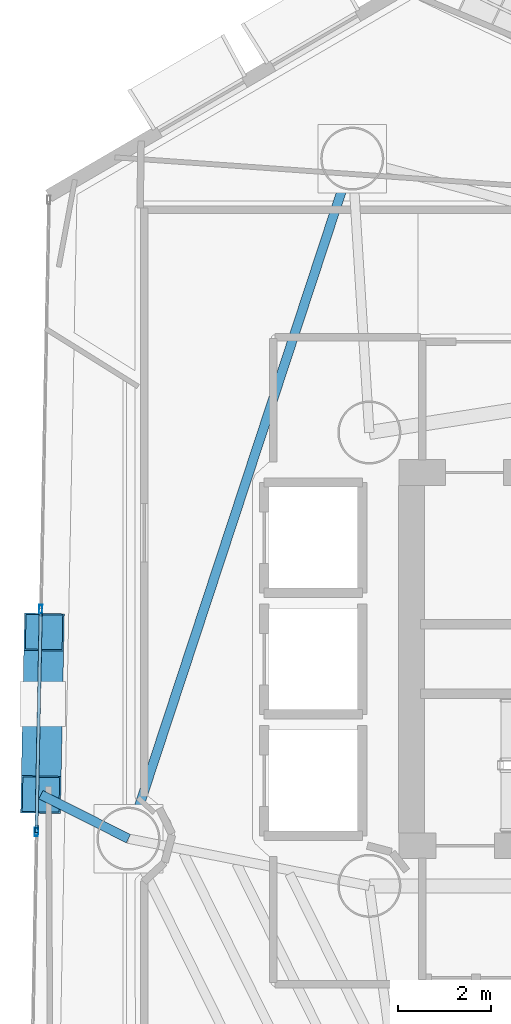
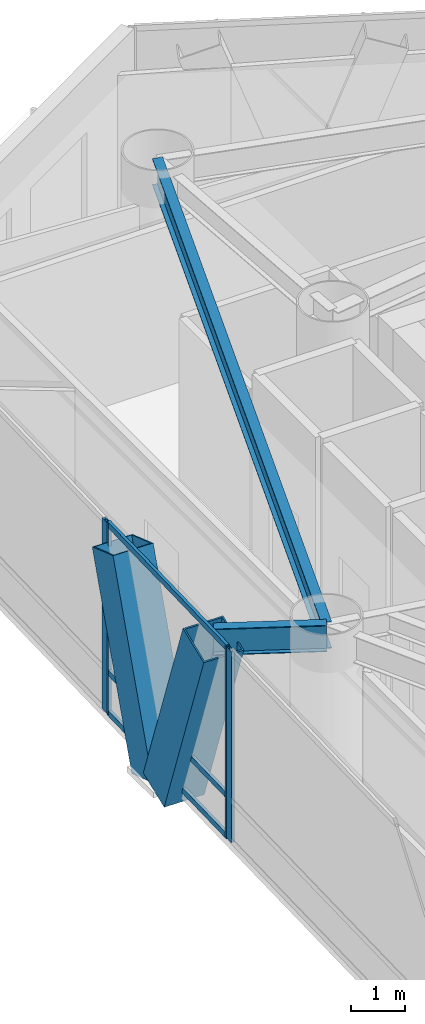
# One storey, part 7 of 21: 9 members, 2 beams, 3 elements without a shape of their own.
"""IFC4 building model written with IfcOpenShell, lengths in metres."""

from ifc_helpers import new_model, si_unit, direction, frame, origin, origin_2d, place, context, subcontext, project, spatial, hollow_rectangle, i_section, extrude, material, layer, layer_set, material_profile, profile_set, type_object, element, aggregate, save


model = new_model("IFC4")

# Units and contexts
model_context = context("Model", 3, precision=1e-05, world=origin(), true_north=direction((0.0, 1.0)))
body_context = subcontext(model_context, "Body", "Model", "MODEL_VIEW")
ifc_project = project(units=[si_unit("LENGTHUNIT", "METRE"), si_unit("AREAUNIT", "SQUARE_METRE"), si_unit("VOLUMEUNIT", "CUBIC_METRE"), si_unit("PLANEANGLEUNIT", "RADIAN"), si_unit("MASSUNIT", "GRAM", prefix="KILO")], contexts=[model_context])

# Site, building, storey
site_placement = place(None, origin())
site = spatial("IfcSite", under=ifc_project, at=site_placement, CompositionType="ELEMENT")
building_placement = place(site_placement, origin())
building = spatial("IfcBuilding", under=site, at=building_placement, Name="Qianvela Tower", CompositionType="ELEMENT")
storey_placement = place(building_placement, frame((0.0, 0.0, 143.10009765625)))
storey = spatial("IfcBuildingStorey", under=building, at=storey_placement, Name="L36", CompositionType="ELEMENT", Elevation=143.10009765625)

# Beams
ifc_material_1 = material(Name="Steel Q355B", Category="steel")
ifc_material_profile_1 = material_profile(ifc_material_1, i_section(OverallWidth=0.199951171875, OverallDepth=0.60009765625, WebThickness=0.010986328125, FlangeThickness=0.01708984375, at=origin_2d()), Name="HN600x200x11x17")
ifc_profile_set_1 = profile_set([ifc_material_profile_1], Name="Steel Q355B")
beam_type = type_object("IfcBeamType", Name="BM-HN600-GIRD", PredefinedType="BEAM", material=ifc_profile_set_1)
beam_1_placement = place(storey_placement, frame((23.446044921875, 24.85888671875, 4.017822265625), z_axis=(-0.893143116598, 0.449772579504, 0.0), x_axis=(-0.449772579504, -0.893143116598, 0.0)))
element("IfcBeam", 1, at=beam_1_placement, inside=storey, type_object=beam_type, Name="L36 Mega-Brace Column Tie Bracket F2-2", PredefinedType="BEAM", context=body_context, shape_type="SweptSolid", body=[
    extrude(i_section(OverallWidth=0.199951171875, OverallDepth=0.60009765625, WebThickness=0.010986328125, FlangeThickness=0.01708984375, at=origin_2d()), origin(), (0.0, 0.0, 1.0), 2.097412109375),
])
beam_2_placement = place(storey_placement, frame((28.235107421875, 39.410888671875, 4.017822265625), z_axis=(-0.312606332657, -0.949882772126, 0.0), x_axis=(0.949882772126, -0.312606332657, 0.0)))
element("IfcBeam", 2, at=beam_2_placement, inside=storey, type_object=beam_type, Name="L36 Perimeter Ring Spandrel Girder 3", PredefinedType="BEAM", context=body_context, shape_type="SweptSolid", body=[
    extrude(i_section(OverallWidth=0.199951171875, OverallDepth=0.60009765625, WebThickness=0.010986328125, FlangeThickness=0.01708984375, at=origin_2d()), origin(), (0.0, 0.0, 1.0), 15.31982421875),
])

# Curtain wall, members
ifc_material_2 = material(Name="Anodised Architectural Aluminium and Insulated Spandrel Panel", Category="aluminium")
ifc_layer_1 = layer(ifc_material_2, 0.179931640625)
ifc_layer_set_1 = layer_set([ifc_layer_1], Name="Anodised Architectural Aluminium and Insulated Spandrel Panel")
curtain_wall_type_1 = type_object("IfcCurtainWallType", Name="CW-BRACEBAY", PredefinedType="USERDEFINED", material=ifc_layer_set_1)
curtain_wall_1_placement = place(storey_placement, origin())
curtain_wall_1 = element("IfcCurtainWall", 3, at=curtain_wall_1_placement, inside=storey, type_object=curtain_wall_type_1, Name="L36 CW-BRACEBAY Curtain Wall 04B", ObjectType="CURTAIN_WALL_SYSTEM", PredefinedType="USERDEFINED")
ifc_material_3 = material(Name="Anodised Architectural Aluminium 6063-T6", Category="aluminium")
ifc_material_profile_2 = material_profile(ifc_material_3, hollow_rectangle(XDim=0.06494140625, YDim=0.159912109375, WallThickness=0.0048828125, at=origin_2d()), Name="ALU-MULL-65x160")
ifc_profile_set_2 = profile_set([ifc_material_profile_2], Name="Anodised Architectural Aluminium 6063-T6")
member_type_1 = type_object("IfcMemberType", Name="CW-BRACEBAY-MULL", PredefinedType="MULLION", material=ifc_profile_set_2)
member_1_placement = place(storey_placement, frame((21.56884765625, 29.70361328125, 0.0), z_axis=(0.0, 0.0, 1.0), x_axis=(0.999809233678, -0.019531929019, 0.0)))
member_1 = element("IfcMember", 4, at=member_1_placement, type_object=member_type_1, Name="CW-9 mullion 1", PredefinedType="MULLION", context=body_context, shape_type="SweptSolid", body=[
    extrude(hollow_rectangle(XDim=0.06494140625, YDim=0.159912109375, WallThickness=0.0048828125, at=origin_2d()), origin(), (0.0, 0.0, 1.0), 4.31982421875),
])
member_2_placement = place(storey_placement, frame((21.478515625, 25.069580078125, 0.0), z_axis=(0.0, 0.0, 1.0), x_axis=(0.999809233678, -0.019531929019, 0.0)))
member_2 = element("IfcMember", 5, at=member_2_placement, type_object=member_type_1, Name="CW-9 mullion 2", PredefinedType="MULLION", context=body_context, shape_type="SweptSolid", body=[
    extrude(hollow_rectangle(XDim=0.06494140625, YDim=0.159912109375, WallThickness=0.0048828125, at=origin_2d()), origin(), (0.0, 0.0, 1.0), 4.31982421875),
])
ifc_material_4 = material(Name="Anodised Architectural Aluminium 6063-T6", Category="aluminium")
ifc_material_profile_3 = material_profile(ifc_material_4, hollow_rectangle(XDim=0.06494140625, YDim=0.1298828125, WallThickness=0.00439453125, at=origin_2d()), Name="ALU-TRAN-65x130")
ifc_profile_set_3 = profile_set([ifc_material_profile_3], Name="Anodised Architectural Aluminium 6063-T6")
member_type_2 = type_object("IfcMemberType", Name="CW-BRACEBAY-TRAN", PredefinedType="USERDEFINED", material=ifc_profile_set_3)
member_3_placement = place(storey_placement, frame((21.568359375, 29.671142578125, 0.032470703125), z_axis=(-0.019552766789, -0.999808826382, 0.0), x_axis=(0.999808826382, -0.019552766789, 0.0)))
member_3 = element("IfcMember", 6, at=member_3_placement, type_object=member_type_2, Name="CW-9 transom 1.1", ObjectType="TRANSOM", PredefinedType="USERDEFINED", context=body_context, shape_type="SweptSolid", body=[
    extrude(hollow_rectangle(XDim=0.06494140625, YDim=0.1298828125, WallThickness=0.00439453125, at=origin_2d()), origin(), (0.0, 0.0, 1.0), 4.570068359375),
])
member_4_placement = place(storey_placement, frame((21.568359375, 29.671142578125, 0.949951171875), z_axis=(-0.019552766789, -0.999808826382, 0.0), x_axis=(0.999808826382, -0.019552766789, 0.0)))
member_4 = element("IfcMember", 7, at=member_4_placement, type_object=member_type_2, Name="CW-9 transom 1.2", ObjectType="TRANSOM", PredefinedType="USERDEFINED", context=body_context, shape_type="SweptSolid", body=[
    extrude(hollow_rectangle(XDim=0.06494140625, YDim=0.1298828125, WallThickness=0.00439453125, at=origin_2d()), origin(), (0.0, 0.0, 1.0), 4.570068359375),
])
member_5_placement = place(storey_placement, frame((21.568359375, 29.671142578125, 4.287353515625), z_axis=(-0.019552766789, -0.999808826382, 0.0), x_axis=(0.999808826382, -0.019552766789, 0.0)))
member_5 = element("IfcMember", 8, at=member_5_placement, type_object=member_type_2, Name="CW-9 transom 1.3", ObjectType="TRANSOM", PredefinedType="USERDEFINED", context=body_context, shape_type="SweptSolid", body=[
    extrude(hollow_rectangle(XDim=0.06494140625, YDim=0.1298828125, WallThickness=0.00439453125, at=origin_2d()), origin(), (0.0, 0.0, 1.0), 4.570068359375),
])
aggregate(curtain_wall_1, [member_1, member_2, member_3, member_4, member_5])

# Curtain wall, member
ifc_material_5 = material(Name="Anodised Architectural Aluminium and Low-E Glass", Category="aluminium")
ifc_layer_2 = layer(ifc_material_5, 0.18994140625)
ifc_layer_set_2 = layer_set([ifc_layer_2], Name="Anodised Architectural Aluminium and Low-E Glass")
curtain_wall_type_2 = type_object("IfcCurtainWallType", Name="CW-SKYLOBBY", PredefinedType="USERDEFINED", material=ifc_layer_set_2)
curtain_wall_2_placement = place(storey_placement, origin())
curtain_wall_2 = element("IfcCurtainWall", 9, at=curtain_wall_2_placement, inside=storey, type_object=curtain_wall_type_2, Name="L36 CW-SKYLOBBY Curtain Wall 04A", ObjectType="CURTAIN_WALL_SYSTEM", PredefinedType="USERDEFINED")
ifc_material_6 = material(Name="Anodised Architectural Aluminium 6063-T6", Category="aluminium")
ifc_material_profile_4 = material_profile(ifc_material_6, hollow_rectangle(XDim=0.070068359375, YDim=0.179931640625, WallThickness=0.0048828125, at=origin_2d()), Name="ALU-MULL-70x180")
ifc_profile_set_4 = profile_set([ifc_material_profile_4], Name="Anodised Architectural Aluminium 6063-T6")
member_type_3 = type_object("IfcMemberType", Name="CW-SKYLOBBY-MULL", PredefinedType="MULLION", material=ifc_profile_set_4)
member_6_placement = place(storey_placement, frame((21.5703125, 29.77099609375, 0.0), z_axis=(0.0, 0.0, 1.0), x_axis=(0.999808938606, -0.019547027493, 0.0)))
member_6 = element("IfcMember", 10, at=member_6_placement, type_object=member_type_3, Name="CW-7 mullion 2", PredefinedType="MULLION", context=body_context, shape_type="SweptSolid", body=[
    extrude(hollow_rectangle(XDim=0.070068359375, YDim=0.179931640625, WallThickness=0.0048828125, at=origin_2d()), origin(), (0.0, 0.0, 1.0), 4.31982421875),
])
aggregate(curtain_wall_2, [member_6])

curtain_wall_3_placement = place(storey_placement, origin())
curtain_wall_3 = element("IfcCurtainWall", 11, at=curtain_wall_3_placement, inside=storey, type_object=curtain_wall_type_2, Name="L36 CW-SKYLOBBY Curtain Wall 04C", ObjectType="CURTAIN_WALL_SYSTEM", PredefinedType="USERDEFINED")
member_7_placement = place(storey_placement, frame((21.47705078125, 25.001953125, 0.0), z_axis=(0.0, 0.0, 1.0), x_axis=(0.999808915851, -0.019548191335, 0.0)))
member_7 = element("IfcMember", 12, at=member_7_placement, type_object=member_type_3, Name="CW-7 mullion 1", PredefinedType="MULLION", context=body_context, shape_type="SweptSolid", body=[
    extrude(hollow_rectangle(XDim=0.070068359375, YDim=0.179931640625, WallThickness=0.0048828125, at=origin_2d()), origin(), (0.0, 0.0, 1.0), 4.31982421875),
])
aggregate(curtain_wall_3, [member_7])

# Members
ifc_material_7 = material(Name="Steel Q420GJC", Category="steel")
ifc_material_profile_5 = material_profile(ifc_material_7, hollow_rectangle(XDim=0.85009765625, YDim=0.85009765625, WallThickness=0.031982421875, at=origin_2d()), Name="MBOX-850x850x32")
ifc_profile_set_5 = profile_set([ifc_material_profile_5], Name="Steel Q420GJC")
member_type_4 = type_object("IfcMemberType", Name="MBR-MBRACE-850", PredefinedType="BRACE", material=ifc_profile_set_5)
for number, where, z_axis, x_axis, name in (
    (13, (21.611083984375, 27.7607421875, -0.18017578125), (0.0066171507, 0.340154358291, 0.940346332929), (-0.999810836765, 0.019449696342, 0.0), "L36 Tier 6 Exterior Mega-Brace F2A"),
    (14, (21.602294921875, 27.32080078125, -0.18017578125), (-0.0066171507, -0.340154358291, 0.940346332929), (0.999810836765, -0.019449696342, 0.0), "L36 Tier 6 Exterior Mega-Brace F2B"),
):
    element("IfcMember", number, at=place(storey_placement, frame(where, z_axis=z_axis, x_axis=x_axis)), inside=storey, type_object=member_type_4, Name=name, PredefinedType="BRACE", context=body_context, shape_type="SweptSolid", body=[
        extrude(hollow_rectangle(XDim=0.85009765625, YDim=0.85009765625, WallThickness=0.031982421875, at=origin_2d()), origin(), (0.0, 0.0, 1.0), 4.46435546875),
    ])

save(model, "model.ifc")
